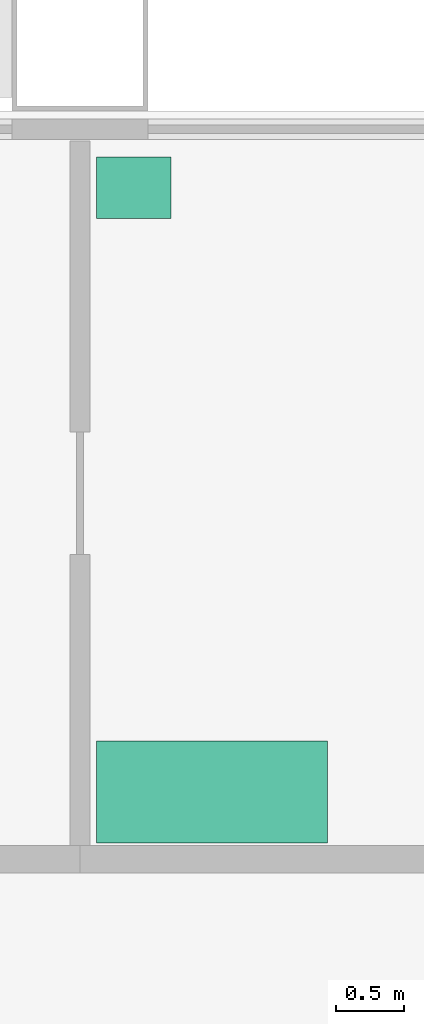
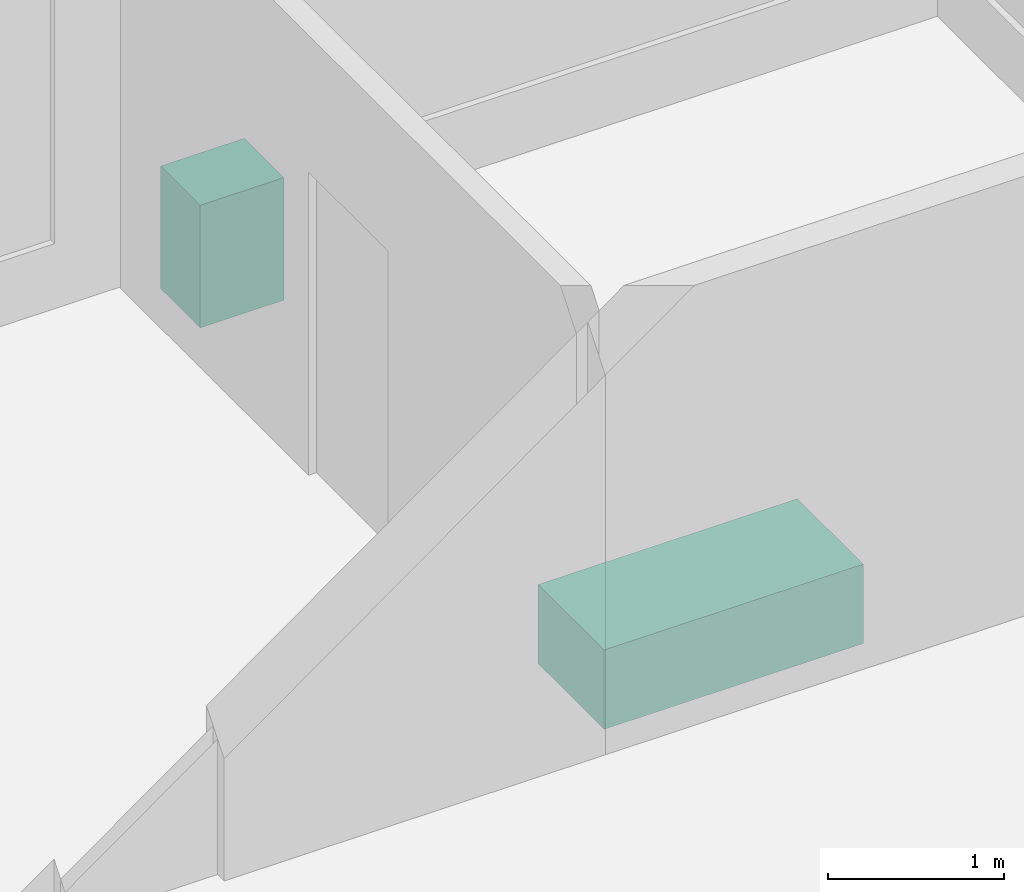
# One storey, part 7 of 7: 2 sanitary terminals.
"""IFC4 building model written with IfcOpenShell, lengths in metres."""

from ifc_helpers import new_model, si_unit, direction, frame, origin, origin_2d, place, context, subcontext, project, spatial, rectangle, extrude, material, type_object, element, save


model = new_model("IFC4")

# Units and contexts
model_context = context("Model", 3, precision=1e-05, world=origin(), true_north=direction((0.0, 1.0)))
body_context = subcontext(model_context, "Body", "Model", "MODEL_VIEW")
ifc_project = project(units=[si_unit("LENGTHUNIT", "METRE"), si_unit("AREAUNIT", "SQUARE_METRE"), si_unit("VOLUMEUNIT", "CUBIC_METRE"), si_unit("PLANEANGLEUNIT", "RADIAN"), si_unit("MASSUNIT", "GRAM", prefix="KILO")], contexts=[model_context])

# Site, building, storey
site_placement = place(None, origin())
site = spatial("IfcSite", under=ifc_project, at=site_placement, CompositionType="ELEMENT")
building_placement = place(site_placement, origin())
building = spatial("IfcBuilding", under=site, at=building_placement, Name="Kitamizu Gate Tower and Museum", CompositionType="ELEMENT")
storey_placement = place(building_placement, frame((0.0, 0.0, 245.550048828125)))
storey = spatial("IfcBuildingStorey", under=building, at=storey_placement, Name="L66", CompositionType="ELEMENT", Elevation=245.550048828125)

# Sanitary terminals
ifc_material_1 = material(Name="Acrylic")
sanitary_terminal_type_1 = type_object("IfcSanitaryTerminalType", Name="Bath", PredefinedType="BATH", material=ifc_material_1)
sanitary_terminal_1_placement = place(storey_placement, frame((48.969970703125, 42.4951171875, 0.0009765625), z_axis=(0.0, 0.0, 1.0), x_axis=(1.0, 0.0, 0.0)))
element("IfcSanitaryTerminal", 1, at=sanitary_terminal_1_placement, inside=storey, type_object=sanitary_terminal_type_1, Name="Bath Bathroom and WC 66B", PredefinedType="BATH", context=body_context, shape_type="SweptSolid", body=[
    extrude(rectangle(XDim=1.699951171875, YDim=0.75, at=origin_2d()), origin(), (0.0, 0.0, 1.0), 0.550048828125),
])
ifc_material_2 = material(Name="Vitreous china")
sanitary_terminal_type_2 = type_object("IfcSanitaryTerminalType", Name="Wash hand basin", PredefinedType="WASHHANDBASIN", material=ifc_material_2)
sanitary_terminal_2_placement = place(storey_placement, frame((48.39501953125, 46.93505859375, 0.0009765625), z_axis=(0.0, 0.0, 1.0), x_axis=(1.0, 0.0, 0.0)))
element("IfcSanitaryTerminal", 2, at=sanitary_terminal_2_placement, inside=storey, type_object=sanitary_terminal_type_2, Name="Wash hand basin Bathroom and WC 66B", PredefinedType="WASHHANDBASIN", context=body_context, shape_type="SweptSolid", body=[
    extrude(rectangle(XDim=0.550048828125, YDim=0.449951171875, at=origin_2d()), origin(), (0.0, 0.0, 1.0), 0.85009765625),
])

save(model, "model.ifc")
